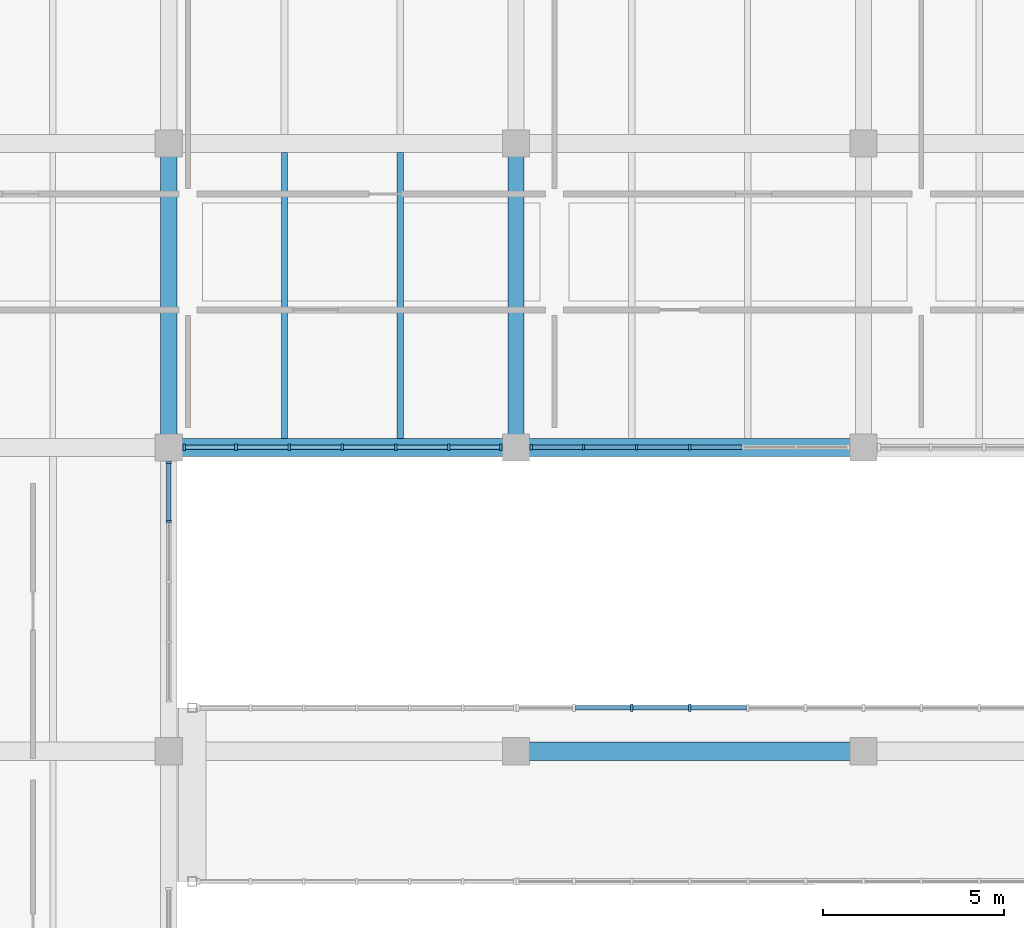
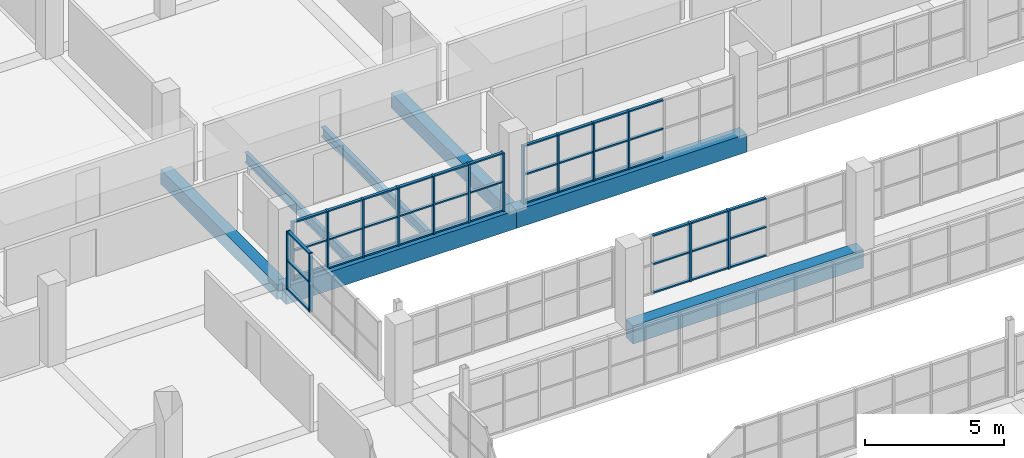
# One storey, part 61 of 147: 57 members, 7 beams, 4 elements without a shape of their own.
"""IFC4 building model written with IfcOpenShell, lengths in metres."""

from ifc_helpers import new_model, si_unit, direction, frame, origin, origin_2d, place, context, subcontext, project, spatial, rectangle, i_section, extrude, material, material_profile, profile_set, type_object, element, aggregate, save


model = new_model("IFC4")

# Units and contexts
model_context = context("Model", 3, precision=1e-05, world=origin(), true_north=direction((0.0, 1.0)))
body_context = subcontext(model_context, "Body", "Model", "MODEL_VIEW")
ifc_project = project(units=[si_unit("LENGTHUNIT", "METRE"), si_unit("AREAUNIT", "SQUARE_METRE"), si_unit("VOLUMEUNIT", "CUBIC_METRE"), si_unit("PLANEANGLEUNIT", "RADIAN"), si_unit("MASSUNIT", "GRAM", prefix="KILO")], contexts=[model_context])

# Site, building, storey
site_placement = place(None, origin())
site = spatial("IfcSite", under=ifc_project, at=site_placement, CompositionType="ELEMENT")
building_placement = place(site_placement, origin())
building = spatial("IfcBuilding", under=site, at=building_placement, Name="Oolite Switchyard Hospital", CompositionType="ELEMENT")
storey_placement = place(building_placement, frame((0.0, 0.0, 9.89990234375)))
storey = spatial("IfcBuildingStorey", under=building, at=storey_placement, Name="L02", CompositionType="ELEMENT", Elevation=9.89990234375)

# Beams
ifc_material_1 = material(Name="Concrete C40/50", Category="concrete")
ifc_material_profile_1 = material_profile(ifc_material_1, rectangle(XDim=0.449951171875, YDim=0.64990234375, at=origin_2d()), Name="RCB450X650")
ifc_profile_set_1 = profile_set([ifc_material_profile_1], Name="Concrete C40/50")
beam_type_1 = type_object("IfcBeamType", Name="BM-RC450X650", PredefinedType="BEAM", material=ifc_profile_set_1)
for number, where, z_axis, x_axis, name in (
    (1, (144.0, 58.800048828125, -0.324951171875), (0.0, 1.0, 0.0), (-1.0, 0.0, 0.0), "L02 Y-Girder 1420"),
    (2, (153.60009765625, 58.800048828125, -0.324951171875), (0.0, 1.0, 0.0), (-1.0, 0.0, 0.0), "L02 Y-Girder 1433"),
):
    element("IfcBeam", number, at=place(storey_placement, frame(where, z_axis=z_axis, x_axis=x_axis)), inside=storey, type_object=beam_type_1, Name=name, PredefinedType="BEAM", context=body_context, shape_type="SweptSolid", body=[
        extrude(rectangle(XDim=0.449951171875, YDim=0.64990234375, at=origin_2d()), origin(), (0.0, 0.0, 1.0), 8.39990234375),
    ])
ifc_material_profile_2 = material_profile(ifc_material_1, rectangle(XDim=0.5, YDim=0.800048828125, at=origin_2d()), Name="RCB500X800")
ifc_profile_set_2 = profile_set([ifc_material_profile_2], Name="Concrete C40/50")
beam_type_2 = type_object("IfcBeamType", Name="BM-RC500X800", PredefinedType="BEAM", material=ifc_profile_set_2)
beam_1_placement = place(storey_placement, frame((153.60009765625, 50.39990234375, -0.39990234375), z_axis=(1.0, 0.0, 0.0), x_axis=(0.0, 1.0, 0.0)))
element("IfcBeam", 3, at=beam_1_placement, inside=storey, type_object=beam_type_2, Name="L02 X-Girder 1072", PredefinedType="BEAM", context=body_context, shape_type="SweptSolid", body=[
    extrude(rectangle(XDim=0.5, YDim=0.800048828125, at=origin_2d()), origin(), (0.0, 0.0, 1.0), 9.599853515625),
])
beam_2_placement = place(storey_placement, frame((144.0, 58.800048828125, -0.39990234375), z_axis=(1.0, 0.0, 0.0), x_axis=(0.0, 1.0, 0.0)))
element("IfcBeam", 4, at=beam_2_placement, inside=storey, type_object=beam_type_2, Name="L02 X-Girder 1087", PredefinedType="BEAM", context=body_context, shape_type="SweptSolid", body=[
    extrude(rectangle(XDim=0.5, YDim=0.800048828125, at=origin_2d()), origin(), (0.0, 0.0, 1.0), 9.60009765625),
])
beam_3_placement = place(storey_placement, frame((153.60009765625, 58.800048828125, -0.39990234375), z_axis=(1.0, 0.0, 0.0), x_axis=(0.0, 1.0, 0.0)))
element("IfcBeam", 5, at=beam_3_placement, inside=storey, type_object=beam_type_2, Name="L02 X-Girder 1088", PredefinedType="BEAM", context=body_context, shape_type="SweptSolid", body=[
    extrude(rectangle(XDim=0.5, YDim=0.800048828125, at=origin_2d()), origin(), (0.0, 0.0, 1.0), 9.599853515625),
])
ifc_material_2 = material(Name="Steel ASTM A992 Grade 50", Category="steel")
ifc_material_profile_3 = material_profile(ifc_material_2, i_section(OverallWidth=0.179931640625, OverallDepth=0.4130859375, WebThickness=0.010009765625, FlangeThickness=0.01611328125, at=origin_2d()), Name="W16X50")
ifc_profile_set_3 = profile_set([ifc_material_profile_3], Name="Steel ASTM A992 Grade 50")
beam_type_3 = type_object("IfcBeamType", Name="BM-W16X50", PredefinedType="JOIST", material=ifc_profile_set_3)
beam_4_placement = place(storey_placement, frame((150.39990234375, 59.050048828125, -0.4658203125), z_axis=(0.0, 1.0, 0.0), x_axis=(-1.0, 0.0, 0.0)))
element("IfcBeam", 6, at=beam_4_placement, inside=storey, type_object=beam_type_3, Name="L02 Secondary Steel Joist 1795", PredefinedType="JOIST", context=body_context, shape_type="SweptSolid", body=[
    extrude(i_section(OverallWidth=0.179931640625, OverallDepth=0.4130859375, WebThickness=0.010009765625, FlangeThickness=0.01611328125, at=origin_2d()), origin(), (0.0, 0.0, 1.0), 7.89990234375),
])
ifc_material_profile_4 = material_profile(ifc_material_2, i_section(OverallWidth=0.153076171875, OverallDepth=0.455078125, WebThickness=0.008056640625, FlangeThickness=0.012939453125, at=origin_2d()), Name="W18X40")
ifc_profile_set_4 = profile_set([ifc_material_profile_4], Name="Steel ASTM A992 Grade 50")
beam_type_4 = type_object("IfcBeamType", Name="BM-W18X40", PredefinedType="JOIST", material=ifc_profile_set_4)
beam_5_placement = place(storey_placement, frame((147.199951171875, 59.050048828125, -0.48681640625), z_axis=(0.0, 1.0, 0.0), x_axis=(-1.0, 0.0, 0.0)))
element("IfcBeam", 7, at=beam_5_placement, inside=storey, type_object=beam_type_4, Name="L02 Secondary Steel Joist 1794", PredefinedType="JOIST", context=body_context, shape_type="SweptSolid", body=[
    extrude(i_section(OverallWidth=0.153076171875, OverallDepth=0.455078125, WebThickness=0.008056640625, FlangeThickness=0.012939453125, at=origin_2d()), origin(), (0.0, 0.0, 1.0), 7.89990234375),
])

# Curtain wall, members
ifc_material_3 = material(Name="Thermally broken aluminum frame with laminated impact glazing", Category="aluminium")
curtain_wall_type_1 = type_object("IfcCurtainWallType", Name="CW-UNIT-96X36", PredefinedType="USERDEFINED", material=ifc_material_3)
curtain_wall_1_placement = place(storey_placement, origin())
curtain_wall_1 = element("IfcCurtainWall", 8, at=curtain_wall_1_placement, inside=storey, type_object=curtain_wall_type_1, Name="L02 Unitised Curtain Wall 244", ObjectType="UNITISED", PredefinedType="USERDEFINED")
ifc_material_4 = material(Name="Aluminium 6063-T6", Category="aluminium")
ifc_material_profile_5 = material_profile(ifc_material_4, rectangle(XDim=0.159912109375, YDim=0.06005859375, at=origin_2d()), Name="CWM60X160")
ifc_profile_set_5 = profile_set([ifc_material_profile_5], Name="Aluminium 6063-T6")
member_type_1 = type_object("IfcMemberType", Name="CW-MUL-180", PredefinedType="MULLION", material=ifc_profile_set_5)
member_1_placement = place(storey_placement, frame((158.39990234375, 58.800048828125, 0.0), z_axis=(0.0, 0.0, 1.0), x_axis=(0.0, -1.0, 0.0)))
member_1 = element("IfcMember", 9, at=member_1_placement, type_object=member_type_1, Name="CW-03 mullion 4", PredefinedType="MULLION", context=body_context, shape_type="SweptSolid", body=[
    extrude(rectangle(XDim=0.159912109375, YDim=0.06005859375, at=origin_2d()), origin(), (0.0, 0.0, 1.0), 2.570068359375),
])
member_2_placement = place(storey_placement, frame((156.929931640625, 58.800048828125, 0.0), z_axis=(0.0, 0.0, 1.0), x_axis=(0.0, -1.0, 0.0)))
member_2 = element("IfcMember", 10, at=member_2_placement, type_object=member_type_1, Name="CW-03 mullion 5", PredefinedType="MULLION", context=body_context, shape_type="SweptSolid", body=[
    extrude(rectangle(XDim=0.159912109375, YDim=0.06005859375, at=origin_2d()), origin(), (0.0, 0.0, 1.0), 2.570068359375),
])
member_3_placement = place(storey_placement, frame((155.4599609375, 58.800048828125, 0.0), z_axis=(0.0, 0.0, 1.0), x_axis=(0.0, -1.0, 0.0)))
member_3 = element("IfcMember", 11, at=member_3_placement, type_object=member_type_1, Name="CW-03 mullion 6", PredefinedType="MULLION", context=body_context, shape_type="SweptSolid", body=[
    extrude(rectangle(XDim=0.159912109375, YDim=0.06005859375, at=origin_2d()), origin(), (0.0, 0.0, 1.0), 2.570068359375),
])
member_4_placement = place(storey_placement, frame((154.02001953125, 58.800048828125, 0.0), z_axis=(0.0, 0.0, 1.0), x_axis=(0.0, -1.0, 0.0)))
member_4 = element("IfcMember", 12, at=member_4_placement, type_object=member_type_1, Name="CW-03 mullion 7", PredefinedType="MULLION", context=body_context, shape_type="SweptSolid", body=[
    extrude(rectangle(XDim=0.159912109375, YDim=0.06005859375, at=origin_2d()), origin(), (0.0, 0.0, 1.0), 2.570068359375),
])

curtain_wall_type_2 = type_object("IfcCurtainWallType", Name="CW-UNIT-84X36", PredefinedType="USERDEFINED", material=ifc_material_3)
curtain_wall_2_placement = place(storey_placement, origin())
curtain_wall_2 = element("IfcCurtainWall", 13, at=curtain_wall_2_placement, inside=storey, type_object=curtain_wall_type_2, Name="L02 Unitised Curtain Wall 304", ObjectType="UNITISED", PredefinedType="USERDEFINED")
member_5_placement = place(storey_placement, frame((144.0, 58.3798828125, 0.0), z_axis=(0.0, 0.0, 1.0), x_axis=(1.0, 0.0, 0.0)))
member_5 = element("IfcMember", 14, at=member_5_placement, type_object=member_type_1, Name="CW-08 mullion 1", PredefinedType="MULLION", context=body_context, shape_type="SweptSolid", body=[
    extrude(rectangle(XDim=0.159912109375, YDim=0.06005859375, at=origin_2d()), origin(), (0.0, 0.0, 1.0), 2.570068359375),
])
member_6_placement = place(storey_placement, frame((144.0, 56.74755859375, 0.0), z_axis=(0.0, 0.0, 1.0), x_axis=(1.0, 0.0, 0.0)))
member_6 = element("IfcMember", 15, at=member_6_placement, type_object=member_type_1, Name="CW-08 mullion 2", PredefinedType="MULLION", context=body_context, shape_type="SweptSolid", body=[
    extrude(rectangle(XDim=0.159912109375, YDim=0.06005859375, at=origin_2d()), origin(), (0.0, 0.0, 1.0), 2.570068359375),
])

curtain_wall_3_placement = place(storey_placement, origin())
curtain_wall_3 = element("IfcCurtainWall", 16, at=curtain_wall_3_placement, inside=storey, type_object=curtain_wall_type_1, Name="L02 Unitised Curtain Wall 242", ObjectType="UNITISED", PredefinedType="USERDEFINED")
ifc_material_profile_6 = material_profile(ifc_material_4, rectangle(XDim=0.179931640625, YDim=0.070068359375, at=origin_2d()), Name="CWM70X180")
ifc_profile_set_6 = profile_set([ifc_material_profile_6], Name="Aluminium 6063-T6")
member_type_2 = type_object("IfcMemberType", Name="CW-MUL-220", PredefinedType="MULLION", material=ifc_profile_set_6)
member_7_placement = place(storey_placement, frame((153.175048828125, 58.800048828125, 0.0), z_axis=(0.0, 0.0, 1.0), x_axis=(0.0, -1.0, 0.0)))
member_7 = element("IfcMember", 17, at=member_7_placement, type_object=member_type_2, Name="CW-03 mullion 1", PredefinedType="MULLION", context=body_context, shape_type="SweptSolid", body=[
    extrude(rectangle(XDim=0.179931640625, YDim=0.070068359375, at=origin_2d()), origin(), (0.0, 0.0, 1.0), 2.570068359375),
])
member_8_placement = place(storey_placement, frame((151.739990234375, 58.800048828125, 0.0), z_axis=(0.0, 0.0, 1.0), x_axis=(0.0, -1.0, 0.0)))
member_8 = element("IfcMember", 18, at=member_8_placement, type_object=member_type_2, Name="CW-03 mullion 2", PredefinedType="MULLION", context=body_context, shape_type="SweptSolid", body=[
    extrude(rectangle(XDim=0.179931640625, YDim=0.070068359375, at=origin_2d()), origin(), (0.0, 0.0, 1.0), 2.570068359375),
])
member_9_placement = place(storey_placement, frame((150.27001953125, 58.800048828125, 0.0), z_axis=(0.0, 0.0, 1.0), x_axis=(0.0, -1.0, 0.0)))
member_9 = element("IfcMember", 19, at=member_9_placement, type_object=member_type_2, Name="CW-03 mullion 3", PredefinedType="MULLION", context=body_context, shape_type="SweptSolid", body=[
    extrude(rectangle(XDim=0.179931640625, YDim=0.070068359375, at=origin_2d()), origin(), (0.0, 0.0, 1.0), 2.570068359375),
])
member_10_placement = place(storey_placement, frame((148.800048828125, 58.800048828125, 0.0), z_axis=(0.0, 0.0, 1.0), x_axis=(0.0, -1.0, 0.0)))
member_10 = element("IfcMember", 20, at=member_10_placement, type_object=member_type_2, Name="CW-03 mullion 4", PredefinedType="MULLION", context=body_context, shape_type="SweptSolid", body=[
    extrude(rectangle(XDim=0.179931640625, YDim=0.070068359375, at=origin_2d()), origin(), (0.0, 0.0, 1.0), 2.570068359375),
])
member_11_placement = place(storey_placement, frame((147.330078125, 58.800048828125, 0.0), z_axis=(0.0, 0.0, 1.0), x_axis=(0.0, -1.0, 0.0)))
member_11 = element("IfcMember", 21, at=member_11_placement, type_object=member_type_2, Name="CW-03 mullion 5", PredefinedType="MULLION", context=body_context, shape_type="SweptSolid", body=[
    extrude(rectangle(XDim=0.179931640625, YDim=0.070068359375, at=origin_2d()), origin(), (0.0, 0.0, 1.0), 2.570068359375),
])
member_12_placement = place(storey_placement, frame((145.860107421875, 58.800048828125, 0.0), z_axis=(0.0, 0.0, 1.0), x_axis=(0.0, -1.0, 0.0)))
member_12 = element("IfcMember", 22, at=member_12_placement, type_object=member_type_2, Name="CW-03 mullion 6", PredefinedType="MULLION", context=body_context, shape_type="SweptSolid", body=[
    extrude(rectangle(XDim=0.179931640625, YDim=0.070068359375, at=origin_2d()), origin(), (0.0, 0.0, 1.0), 2.570068359375),
])
member_13_placement = place(storey_placement, frame((144.425048828125, 58.800048828125, 0.0), z_axis=(0.0, 0.0, 1.0), x_axis=(0.0, -1.0, 0.0)))
member_13 = element("IfcMember", 23, at=member_13_placement, type_object=member_type_2, Name="CW-03 mullion 7", PredefinedType="MULLION", context=body_context, shape_type="SweptSolid", body=[
    extrude(rectangle(XDim=0.179931640625, YDim=0.070068359375, at=origin_2d()), origin(), (0.0, 0.0, 1.0), 2.570068359375),
])

curtain_wall_type_3 = type_object("IfcCurtainWallType", Name="CW-BRG-96X38", PredefinedType="USERDEFINED", material=ifc_material_3)
curtain_wall_4_placement = place(storey_placement, origin())
curtain_wall_4 = element("IfcCurtainWall", 24, at=curtain_wall_4_placement, inside=storey, type_object=curtain_wall_type_3, Name="L02 Unitised Curtain Wall 240", ObjectType="UNITISED", PredefinedType="USERDEFINED")
ifc_material_profile_7 = material_profile(ifc_material_4, rectangle(XDim=0.199951171875, YDim=0.074951171875, at=origin_2d()), Name="CWM75X200")
ifc_profile_set_7 = profile_set([ifc_material_profile_7], Name="Aluminium 6063-T6")
member_type_3 = type_object("IfcMemberType", Name="CW-MUL-260", PredefinedType="MULLION", material=ifc_profile_set_7)
member_14_placement = place(storey_placement, frame((156.800048828125, 51.60009765625, 0.0), z_axis=(0.0, 0.0, 1.0), x_axis=(0.0, 1.0, 0.0)))
member_14 = element("IfcMember", 25, at=member_14_placement, type_object=member_type_3, Name="CW-12 mullion 3", PredefinedType="MULLION", context=body_context, shape_type="SweptSolid", body=[
    extrude(rectangle(XDim=0.199951171875, YDim=0.074951171875, at=origin_2d()), origin(), (0.0, 0.0, 1.0), 2.570068359375),
])
member_15_placement = place(storey_placement, frame((158.39990234375, 51.60009765625, 0.0), z_axis=(0.0, 0.0, 1.0), x_axis=(0.0, 1.0, 0.0)))
member_15 = element("IfcMember", 26, at=member_15_placement, type_object=member_type_3, Name="CW-12 mullion 4", PredefinedType="MULLION", context=body_context, shape_type="SweptSolid", body=[
    extrude(rectangle(XDim=0.199951171875, YDim=0.074951171875, at=origin_2d()), origin(), (0.0, 0.0, 1.0), 2.570068359375),
])
ifc_material_profile_8 = material_profile(ifc_material_4, rectangle(XDim=0.1201171875, YDim=0.06005859375, at=origin_2d()), Name="CWT60X120")
ifc_profile_set_8 = profile_set([ifc_material_profile_8], Name="Aluminium 6063-T6")
member_type_4 = type_object("IfcMemberType", Name="CW-TRN-150", PredefinedType="USERDEFINED", material=ifc_profile_set_8)
member_16_placement = place(storey_placement, frame((155.237548828125, 51.60009765625, 0.030029296875), z_axis=(1.0, 0.0, 0.0), x_axis=(0.0, 1.0, 0.0)))
member_16 = element("IfcMember", 27, at=member_16_placement, type_object=member_type_4, Name="CW-12 transom 2.1", ObjectType="TRANSOM", PredefinedType="USERDEFINED", context=body_context, shape_type="SweptSolid", body=[
    extrude(rectangle(XDim=0.1201171875, YDim=0.06005859375, at=origin_2d()), origin(), (0.0, 0.0, 1.0), 1.52490234375),
])
member_17_placement = place(storey_placement, frame((155.237548828125, 51.60009765625, 1.28515625), z_axis=(1.0, 0.0, 0.0), x_axis=(0.0, 1.0, 0.0)))
member_17 = element("IfcMember", 28, at=member_17_placement, type_object=member_type_4, Name="CW-12 transom 2.2", ObjectType="TRANSOM", PredefinedType="USERDEFINED", context=body_context, shape_type="SweptSolid", body=[
    extrude(rectangle(XDim=0.1201171875, YDim=0.06005859375, at=origin_2d()), origin(), (0.0, 0.0, 1.0), 1.52490234375),
])
member_18_placement = place(storey_placement, frame((155.237548828125, 51.60009765625, 2.5400390625), z_axis=(1.0, 0.0, 0.0), x_axis=(0.0, 1.0, 0.0)))
member_18 = element("IfcMember", 29, at=member_18_placement, type_object=member_type_4, Name="CW-12 transom 2.3", ObjectType="TRANSOM", PredefinedType="USERDEFINED", context=body_context, shape_type="SweptSolid", body=[
    extrude(rectangle(XDim=0.1201171875, YDim=0.06005859375, at=origin_2d()), origin(), (0.0, 0.0, 1.0), 1.52490234375),
])
member_19_placement = place(storey_placement, frame((156.83740234375, 51.60009765625, 0.030029296875), z_axis=(1.0, 0.0, 0.0), x_axis=(0.0, 1.0, 0.0)))
member_19 = element("IfcMember", 30, at=member_19_placement, type_object=member_type_4, Name="CW-12 transom 3.1", ObjectType="TRANSOM", PredefinedType="USERDEFINED", context=body_context, shape_type="SweptSolid", body=[
    extrude(rectangle(XDim=0.1201171875, YDim=0.06005859375, at=origin_2d()), origin(), (0.0, 0.0, 1.0), 1.525146484375),
])
member_20_placement = place(storey_placement, frame((156.83740234375, 51.60009765625, 1.28515625), z_axis=(1.0, 0.0, 0.0), x_axis=(0.0, 1.0, 0.0)))
member_20 = element("IfcMember", 31, at=member_20_placement, type_object=member_type_4, Name="CW-12 transom 3.2", ObjectType="TRANSOM", PredefinedType="USERDEFINED", context=body_context, shape_type="SweptSolid", body=[
    extrude(rectangle(XDim=0.1201171875, YDim=0.06005859375, at=origin_2d()), origin(), (0.0, 0.0, 1.0), 1.525146484375),
])
member_21_placement = place(storey_placement, frame((156.83740234375, 51.60009765625, 2.5400390625), z_axis=(1.0, 0.0, 0.0), x_axis=(0.0, 1.0, 0.0)))
member_21 = element("IfcMember", 32, at=member_21_placement, type_object=member_type_4, Name="CW-12 transom 3.3", ObjectType="TRANSOM", PredefinedType="USERDEFINED", context=body_context, shape_type="SweptSolid", body=[
    extrude(rectangle(XDim=0.1201171875, YDim=0.06005859375, at=origin_2d()), origin(), (0.0, 0.0, 1.0), 1.525146484375),
])
member_22_placement = place(storey_placement, frame((158.4375, 51.60009765625, 0.030029296875), z_axis=(1.0, 0.0, 0.0), x_axis=(0.0, 1.0, 0.0)))
member_22 = element("IfcMember", 33, at=member_22_placement, type_object=member_type_4, Name="CW-12 transom 4.1", ObjectType="TRANSOM", PredefinedType="USERDEFINED", context=body_context, shape_type="SweptSolid", body=[
    extrude(rectangle(XDim=0.1201171875, YDim=0.06005859375, at=origin_2d()), origin(), (0.0, 0.0, 1.0), 1.52490234375),
])
member_23_placement = place(storey_placement, frame((158.4375, 51.60009765625, 1.28515625), z_axis=(1.0, 0.0, 0.0), x_axis=(0.0, 1.0, 0.0)))
member_23 = element("IfcMember", 34, at=member_23_placement, type_object=member_type_4, Name="CW-12 transom 4.2", ObjectType="TRANSOM", PredefinedType="USERDEFINED", context=body_context, shape_type="SweptSolid", body=[
    extrude(rectangle(XDim=0.1201171875, YDim=0.06005859375, at=origin_2d()), origin(), (0.0, 0.0, 1.0), 1.52490234375),
])
member_24_placement = place(storey_placement, frame((158.4375, 51.60009765625, 2.5400390625), z_axis=(1.0, 0.0, 0.0), x_axis=(0.0, 1.0, 0.0)))
member_24 = element("IfcMember", 35, at=member_24_placement, type_object=member_type_4, Name="CW-12 transom 4.3", ObjectType="TRANSOM", PredefinedType="USERDEFINED", context=body_context, shape_type="SweptSolid", body=[
    extrude(rectangle(XDim=0.1201171875, YDim=0.06005859375, at=origin_2d()), origin(), (0.0, 0.0, 1.0), 1.52490234375),
])
aggregate(curtain_wall_4, [member_14, member_15, member_16, member_17, member_18, member_19, member_20, member_21, member_22, member_23, member_24])

# Member
member_25_placement = place(storey_placement, frame((153.139892578125, 58.800048828125, 0.030029296875), z_axis=(-1.0, 0.0, 0.0), x_axis=(0.0, -1.0, 0.0)))
member_25 = element("IfcMember", 36, at=member_25_placement, type_object=member_type_4, Name="CW-03 transom 1.1", ObjectType="TRANSOM", PredefinedType="USERDEFINED", context=body_context, shape_type="SweptSolid", body=[
    extrude(rectangle(XDim=0.1201171875, YDim=0.06005859375, at=origin_2d()), origin(), (0.0, 0.0, 1.0), 1.364990234375),
])

member_26_placement = place(storey_placement, frame((153.139892578125, 58.800048828125, 1.28515625), z_axis=(-1.0, 0.0, 0.0), x_axis=(0.0, -1.0, 0.0)))
member_26 = element("IfcMember", 37, at=member_26_placement, type_object=member_type_4, Name="CW-03 transom 1.2", ObjectType="TRANSOM", PredefinedType="USERDEFINED", context=body_context, shape_type="SweptSolid", body=[
    extrude(rectangle(XDim=0.1201171875, YDim=0.06005859375, at=origin_2d()), origin(), (0.0, 0.0, 1.0), 1.364990234375),
])

member_27_placement = place(storey_placement, frame((153.139892578125, 58.800048828125, 2.5400390625), z_axis=(-1.0, 0.0, 0.0), x_axis=(0.0, -1.0, 0.0)))
member_27 = element("IfcMember", 38, at=member_27_placement, type_object=member_type_4, Name="CW-03 transom 1.3", ObjectType="TRANSOM", PredefinedType="USERDEFINED", context=body_context, shape_type="SweptSolid", body=[
    extrude(rectangle(XDim=0.1201171875, YDim=0.06005859375, at=origin_2d()), origin(), (0.0, 0.0, 1.0), 1.364990234375),
])

member_28_placement = place(storey_placement, frame((151.705078125, 58.800048828125, 0.030029296875), z_axis=(-1.0, 0.0, 0.0), x_axis=(0.0, -1.0, 0.0)))
member_28 = element("IfcMember", 39, at=member_28_placement, type_object=member_type_4, Name="CW-03 transom 2.1", ObjectType="TRANSOM", PredefinedType="USERDEFINED", context=body_context, shape_type="SweptSolid", body=[
    extrude(rectangle(XDim=0.1201171875, YDim=0.06005859375, at=origin_2d()), origin(), (0.0, 0.0, 1.0), 1.400146484375),
])

member_29_placement = place(storey_placement, frame((151.705078125, 58.800048828125, 1.28515625), z_axis=(-1.0, 0.0, 0.0), x_axis=(0.0, -1.0, 0.0)))
member_29 = element("IfcMember", 40, at=member_29_placement, type_object=member_type_4, Name="CW-03 transom 2.2", ObjectType="TRANSOM", PredefinedType="USERDEFINED", context=body_context, shape_type="SweptSolid", body=[
    extrude(rectangle(XDim=0.1201171875, YDim=0.06005859375, at=origin_2d()), origin(), (0.0, 0.0, 1.0), 1.400146484375),
])

member_30_placement = place(storey_placement, frame((151.705078125, 58.800048828125, 2.5400390625), z_axis=(-1.0, 0.0, 0.0), x_axis=(0.0, -1.0, 0.0)))
member_30 = element("IfcMember", 41, at=member_30_placement, type_object=member_type_4, Name="CW-03 transom 2.3", ObjectType="TRANSOM", PredefinedType="USERDEFINED", context=body_context, shape_type="SweptSolid", body=[
    extrude(rectangle(XDim=0.1201171875, YDim=0.06005859375, at=origin_2d()), origin(), (0.0, 0.0, 1.0), 1.400146484375),
])

member_31_placement = place(storey_placement, frame((150.235107421875, 58.800048828125, 0.030029296875), z_axis=(-1.0, 0.0, 0.0), x_axis=(0.0, -1.0, 0.0)))
member_31 = element("IfcMember", 42, at=member_31_placement, type_object=member_type_4, Name="CW-03 transom 3.1", ObjectType="TRANSOM", PredefinedType="USERDEFINED", context=body_context, shape_type="SweptSolid", body=[
    extrude(rectangle(XDim=0.1201171875, YDim=0.06005859375, at=origin_2d()), origin(), (0.0, 0.0, 1.0), 1.400146484375),
])

member_32_placement = place(storey_placement, frame((150.235107421875, 58.800048828125, 1.28515625), z_axis=(-1.0, 0.0, 0.0), x_axis=(0.0, -1.0, 0.0)))
member_32 = element("IfcMember", 43, at=member_32_placement, type_object=member_type_4, Name="CW-03 transom 3.2", ObjectType="TRANSOM", PredefinedType="USERDEFINED", context=body_context, shape_type="SweptSolid", body=[
    extrude(rectangle(XDim=0.1201171875, YDim=0.06005859375, at=origin_2d()), origin(), (0.0, 0.0, 1.0), 1.400146484375),
])

member_33_placement = place(storey_placement, frame((150.235107421875, 58.800048828125, 2.5400390625), z_axis=(-1.0, 0.0, 0.0), x_axis=(0.0, -1.0, 0.0)))
member_33 = element("IfcMember", 44, at=member_33_placement, type_object=member_type_4, Name="CW-03 transom 3.3", ObjectType="TRANSOM", PredefinedType="USERDEFINED", context=body_context, shape_type="SweptSolid", body=[
    extrude(rectangle(XDim=0.1201171875, YDim=0.06005859375, at=origin_2d()), origin(), (0.0, 0.0, 1.0), 1.400146484375),
])

member_34_placement = place(storey_placement, frame((148.764892578125, 58.800048828125, 0.030029296875), z_axis=(-1.0, 0.0, 0.0), x_axis=(0.0, -1.0, 0.0)))
member_34 = element("IfcMember", 45, at=member_34_placement, type_object=member_type_4, Name="CW-03 transom 4.1", ObjectType="TRANSOM", PredefinedType="USERDEFINED", context=body_context, shape_type="SweptSolid", body=[
    extrude(rectangle(XDim=0.1201171875, YDim=0.06005859375, at=origin_2d()), origin(), (0.0, 0.0, 1.0), 1.39990234375),
])

member_35_placement = place(storey_placement, frame((148.764892578125, 58.800048828125, 1.28515625), z_axis=(-1.0, 0.0, 0.0), x_axis=(0.0, -1.0, 0.0)))
member_35 = element("IfcMember", 46, at=member_35_placement, type_object=member_type_4, Name="CW-03 transom 4.2", ObjectType="TRANSOM", PredefinedType="USERDEFINED", context=body_context, shape_type="SweptSolid", body=[
    extrude(rectangle(XDim=0.1201171875, YDim=0.06005859375, at=origin_2d()), origin(), (0.0, 0.0, 1.0), 1.39990234375),
])

member_36_placement = place(storey_placement, frame((148.764892578125, 58.800048828125, 2.5400390625), z_axis=(-1.0, 0.0, 0.0), x_axis=(0.0, -1.0, 0.0)))
member_36 = element("IfcMember", 47, at=member_36_placement, type_object=member_type_4, Name="CW-03 transom 4.3", ObjectType="TRANSOM", PredefinedType="USERDEFINED", context=body_context, shape_type="SweptSolid", body=[
    extrude(rectangle(XDim=0.1201171875, YDim=0.06005859375, at=origin_2d()), origin(), (0.0, 0.0, 1.0), 1.39990234375),
])

member_37_placement = place(storey_placement, frame((147.294921875, 58.800048828125, 0.030029296875), z_axis=(-1.0, 0.0, 0.0), x_axis=(0.0, -1.0, 0.0)))
member_37 = element("IfcMember", 48, at=member_37_placement, type_object=member_type_4, Name="CW-03 transom 5.1", ObjectType="TRANSOM", PredefinedType="USERDEFINED", context=body_context, shape_type="SweptSolid", body=[
    extrude(rectangle(XDim=0.1201171875, YDim=0.06005859375, at=origin_2d()), origin(), (0.0, 0.0, 1.0), 1.39990234375),
])

member_38_placement = place(storey_placement, frame((147.294921875, 58.800048828125, 1.28515625), z_axis=(-1.0, 0.0, 0.0), x_axis=(0.0, -1.0, 0.0)))
member_38 = element("IfcMember", 49, at=member_38_placement, type_object=member_type_4, Name="CW-03 transom 5.2", ObjectType="TRANSOM", PredefinedType="USERDEFINED", context=body_context, shape_type="SweptSolid", body=[
    extrude(rectangle(XDim=0.1201171875, YDim=0.06005859375, at=origin_2d()), origin(), (0.0, 0.0, 1.0), 1.39990234375),
])

member_39_placement = place(storey_placement, frame((147.294921875, 58.800048828125, 2.5400390625), z_axis=(-1.0, 0.0, 0.0), x_axis=(0.0, -1.0, 0.0)))
member_39 = element("IfcMember", 50, at=member_39_placement, type_object=member_type_4, Name="CW-03 transom 5.3", ObjectType="TRANSOM", PredefinedType="USERDEFINED", context=body_context, shape_type="SweptSolid", body=[
    extrude(rectangle(XDim=0.1201171875, YDim=0.06005859375, at=origin_2d()), origin(), (0.0, 0.0, 1.0), 1.39990234375),
])

member_40_placement = place(storey_placement, frame((145.824951171875, 58.800048828125, 0.030029296875), z_axis=(-1.0, 0.0, 0.0), x_axis=(0.0, -1.0, 0.0)))
member_40 = element("IfcMember", 51, at=member_40_placement, type_object=member_type_4, Name="CW-03 transom 6.1", ObjectType="TRANSOM", PredefinedType="USERDEFINED", context=body_context, shape_type="SweptSolid", body=[
    extrude(rectangle(XDim=0.1201171875, YDim=0.06005859375, at=origin_2d()), origin(), (0.0, 0.0, 1.0), 1.364990234375),
])

member_41_placement = place(storey_placement, frame((145.824951171875, 58.800048828125, 1.28515625), z_axis=(-1.0, 0.0, 0.0), x_axis=(0.0, -1.0, 0.0)))
member_41 = element("IfcMember", 52, at=member_41_placement, type_object=member_type_4, Name="CW-03 transom 6.2", ObjectType="TRANSOM", PredefinedType="USERDEFINED", context=body_context, shape_type="SweptSolid", body=[
    extrude(rectangle(XDim=0.1201171875, YDim=0.06005859375, at=origin_2d()), origin(), (0.0, 0.0, 1.0), 1.364990234375),
])

member_42_placement = place(storey_placement, frame((145.824951171875, 58.800048828125, 2.5400390625), z_axis=(-1.0, 0.0, 0.0), x_axis=(0.0, -1.0, 0.0)))
member_42 = element("IfcMember", 53, at=member_42_placement, type_object=member_type_4, Name="CW-03 transom 6.3", ObjectType="TRANSOM", PredefinedType="USERDEFINED", context=body_context, shape_type="SweptSolid", body=[
    extrude(rectangle(XDim=0.1201171875, YDim=0.06005859375, at=origin_2d()), origin(), (0.0, 0.0, 1.0), 1.364990234375),
])

aggregate(curtain_wall_3, [member_7, member_8, member_9, member_10, member_11, member_12, member_13, member_25, member_26, member_27, member_28, member_29, member_30, member_31, member_32, member_33, member_34, member_35, member_36, member_37, member_38, member_39, member_40, member_41, member_42])

member_43_placement = place(storey_placement, frame((159.840087890625, 58.800048828125, 0.030029296875), z_axis=(-1.0, 0.0, 0.0), x_axis=(0.0, -1.0, 0.0)))
member_43 = element("IfcMember", 54, at=member_43_placement, type_object=member_type_4, Name="CW-03 transom 3.1", ObjectType="TRANSOM", PredefinedType="USERDEFINED", context=body_context, shape_type="SweptSolid", body=[
    extrude(rectangle(XDim=0.1201171875, YDim=0.06005859375, at=origin_2d()), origin(), (0.0, 0.0, 1.0), 1.41015625),
])

member_44_placement = place(storey_placement, frame((159.840087890625, 58.800048828125, 1.28515625), z_axis=(-1.0, 0.0, 0.0), x_axis=(0.0, -1.0, 0.0)))
member_44 = element("IfcMember", 55, at=member_44_placement, type_object=member_type_4, Name="CW-03 transom 3.2", ObjectType="TRANSOM", PredefinedType="USERDEFINED", context=body_context, shape_type="SweptSolid", body=[
    extrude(rectangle(XDim=0.1201171875, YDim=0.06005859375, at=origin_2d()), origin(), (0.0, 0.0, 1.0), 1.41015625),
])

member_45_placement = place(storey_placement, frame((159.840087890625, 58.800048828125, 2.5400390625), z_axis=(-1.0, 0.0, 0.0), x_axis=(0.0, -1.0, 0.0)))
member_45 = element("IfcMember", 56, at=member_45_placement, type_object=member_type_4, Name="CW-03 transom 3.3", ObjectType="TRANSOM", PredefinedType="USERDEFINED", context=body_context, shape_type="SweptSolid", body=[
    extrude(rectangle(XDim=0.1201171875, YDim=0.06005859375, at=origin_2d()), origin(), (0.0, 0.0, 1.0), 1.41015625),
])

member_46_placement = place(storey_placement, frame((158.3701171875, 58.800048828125, 0.030029296875), z_axis=(-1.0, 0.0, 0.0), x_axis=(0.0, -1.0, 0.0)))
member_46 = element("IfcMember", 57, at=member_46_placement, type_object=member_type_4, Name="CW-03 transom 4.1", ObjectType="TRANSOM", PredefinedType="USERDEFINED", context=body_context, shape_type="SweptSolid", body=[
    extrude(rectangle(XDim=0.1201171875, YDim=0.06005859375, at=origin_2d()), origin(), (0.0, 0.0, 1.0), 1.41015625),
])

member_47_placement = place(storey_placement, frame((158.3701171875, 58.800048828125, 1.28515625), z_axis=(-1.0, 0.0, 0.0), x_axis=(0.0, -1.0, 0.0)))
member_47 = element("IfcMember", 58, at=member_47_placement, type_object=member_type_4, Name="CW-03 transom 4.2", ObjectType="TRANSOM", PredefinedType="USERDEFINED", context=body_context, shape_type="SweptSolid", body=[
    extrude(rectangle(XDim=0.1201171875, YDim=0.06005859375, at=origin_2d()), origin(), (0.0, 0.0, 1.0), 1.41015625),
])

member_48_placement = place(storey_placement, frame((158.3701171875, 58.800048828125, 2.5400390625), z_axis=(-1.0, 0.0, 0.0), x_axis=(0.0, -1.0, 0.0)))
member_48 = element("IfcMember", 59, at=member_48_placement, type_object=member_type_4, Name="CW-03 transom 4.3", ObjectType="TRANSOM", PredefinedType="USERDEFINED", context=body_context, shape_type="SweptSolid", body=[
    extrude(rectangle(XDim=0.1201171875, YDim=0.06005859375, at=origin_2d()), origin(), (0.0, 0.0, 1.0), 1.41015625),
])

member_49_placement = place(storey_placement, frame((156.89990234375, 58.800048828125, 0.030029296875), z_axis=(-1.0, 0.0, 0.0), x_axis=(0.0, -1.0, 0.0)))
member_49 = element("IfcMember", 60, at=member_49_placement, type_object=member_type_4, Name="CW-03 transom 5.1", ObjectType="TRANSOM", PredefinedType="USERDEFINED", context=body_context, shape_type="SweptSolid", body=[
    extrude(rectangle(XDim=0.1201171875, YDim=0.06005859375, at=origin_2d()), origin(), (0.0, 0.0, 1.0), 1.409912109375),
])

member_50_placement = place(storey_placement, frame((156.89990234375, 58.800048828125, 1.28515625), z_axis=(-1.0, 0.0, 0.0), x_axis=(0.0, -1.0, 0.0)))
member_50 = element("IfcMember", 61, at=member_50_placement, type_object=member_type_4, Name="CW-03 transom 5.2", ObjectType="TRANSOM", PredefinedType="USERDEFINED", context=body_context, shape_type="SweptSolid", body=[
    extrude(rectangle(XDim=0.1201171875, YDim=0.06005859375, at=origin_2d()), origin(), (0.0, 0.0, 1.0), 1.409912109375),
])

member_51_placement = place(storey_placement, frame((156.89990234375, 58.800048828125, 2.5400390625), z_axis=(-1.0, 0.0, 0.0), x_axis=(0.0, -1.0, 0.0)))
member_51 = element("IfcMember", 62, at=member_51_placement, type_object=member_type_4, Name="CW-03 transom 5.3", ObjectType="TRANSOM", PredefinedType="USERDEFINED", context=body_context, shape_type="SweptSolid", body=[
    extrude(rectangle(XDim=0.1201171875, YDim=0.06005859375, at=origin_2d()), origin(), (0.0, 0.0, 1.0), 1.409912109375),
])

member_52_placement = place(storey_placement, frame((155.429931640625, 58.800048828125, 0.030029296875), z_axis=(-1.0, 0.0, 0.0), x_axis=(0.0, -1.0, 0.0)))
member_52 = element("IfcMember", 63, at=member_52_placement, type_object=member_type_4, Name="CW-03 transom 6.1", ObjectType="TRANSOM", PredefinedType="USERDEFINED", context=body_context, shape_type="SweptSolid", body=[
    extrude(rectangle(XDim=0.1201171875, YDim=0.06005859375, at=origin_2d()), origin(), (0.0, 0.0, 1.0), 1.3798828125),
])

member_53_placement = place(storey_placement, frame((155.429931640625, 58.800048828125, 1.28515625), z_axis=(-1.0, 0.0, 0.0), x_axis=(0.0, -1.0, 0.0)))
member_53 = element("IfcMember", 64, at=member_53_placement, type_object=member_type_4, Name="CW-03 transom 6.2", ObjectType="TRANSOM", PredefinedType="USERDEFINED", context=body_context, shape_type="SweptSolid", body=[
    extrude(rectangle(XDim=0.1201171875, YDim=0.06005859375, at=origin_2d()), origin(), (0.0, 0.0, 1.0), 1.3798828125),
])

member_54_placement = place(storey_placement, frame((155.429931640625, 58.800048828125, 2.5400390625), z_axis=(-1.0, 0.0, 0.0), x_axis=(0.0, -1.0, 0.0)))
member_54 = element("IfcMember", 65, at=member_54_placement, type_object=member_type_4, Name="CW-03 transom 6.3", ObjectType="TRANSOM", PredefinedType="USERDEFINED", context=body_context, shape_type="SweptSolid", body=[
    extrude(rectangle(XDim=0.1201171875, YDim=0.06005859375, at=origin_2d()), origin(), (0.0, 0.0, 1.0), 1.3798828125),
])

aggregate(curtain_wall_1, [member_1, member_2, member_3, member_4, member_43, member_44, member_45, member_46, member_47, member_48, member_49, member_50, member_51, member_52, member_53, member_54])

member_55_placement = place(storey_placement, frame((144.0, 58.35009765625, 0.030029296875), z_axis=(0.0, -1.0, 0.0), x_axis=(1.0, 0.0, 0.0)))
member_55 = element("IfcMember", 66, at=member_55_placement, type_object=member_type_4, Name="CW-08 transom 1.1", ObjectType="TRANSOM", PredefinedType="USERDEFINED", context=body_context, shape_type="SweptSolid", body=[
    extrude(rectangle(XDim=0.1201171875, YDim=0.06005859375, at=origin_2d()), origin(), (0.0, 0.0, 1.0), 1.572509765625),
])

member_56_placement = place(storey_placement, frame((144.0, 58.35009765625, 1.28515625), z_axis=(0.0, -1.0, 0.0), x_axis=(1.0, 0.0, 0.0)))
member_56 = element("IfcMember", 67, at=member_56_placement, type_object=member_type_4, Name="CW-08 transom 1.2", ObjectType="TRANSOM", PredefinedType="USERDEFINED", context=body_context, shape_type="SweptSolid", body=[
    extrude(rectangle(XDim=0.1201171875, YDim=0.06005859375, at=origin_2d()), origin(), (0.0, 0.0, 1.0), 1.572509765625),
])

member_57_placement = place(storey_placement, frame((144.0, 58.35009765625, 2.5400390625), z_axis=(0.0, -1.0, 0.0), x_axis=(1.0, 0.0, 0.0)))
member_57 = element("IfcMember", 68, at=member_57_placement, type_object=member_type_4, Name="CW-08 transom 1.3", ObjectType="TRANSOM", PredefinedType="USERDEFINED", context=body_context, shape_type="SweptSolid", body=[
    extrude(rectangle(XDim=0.1201171875, YDim=0.06005859375, at=origin_2d()), origin(), (0.0, 0.0, 1.0), 1.572509765625),
])

aggregate(curtain_wall_2, [member_5, member_6, member_55, member_56, member_57])

save(model, "model.ifc")
